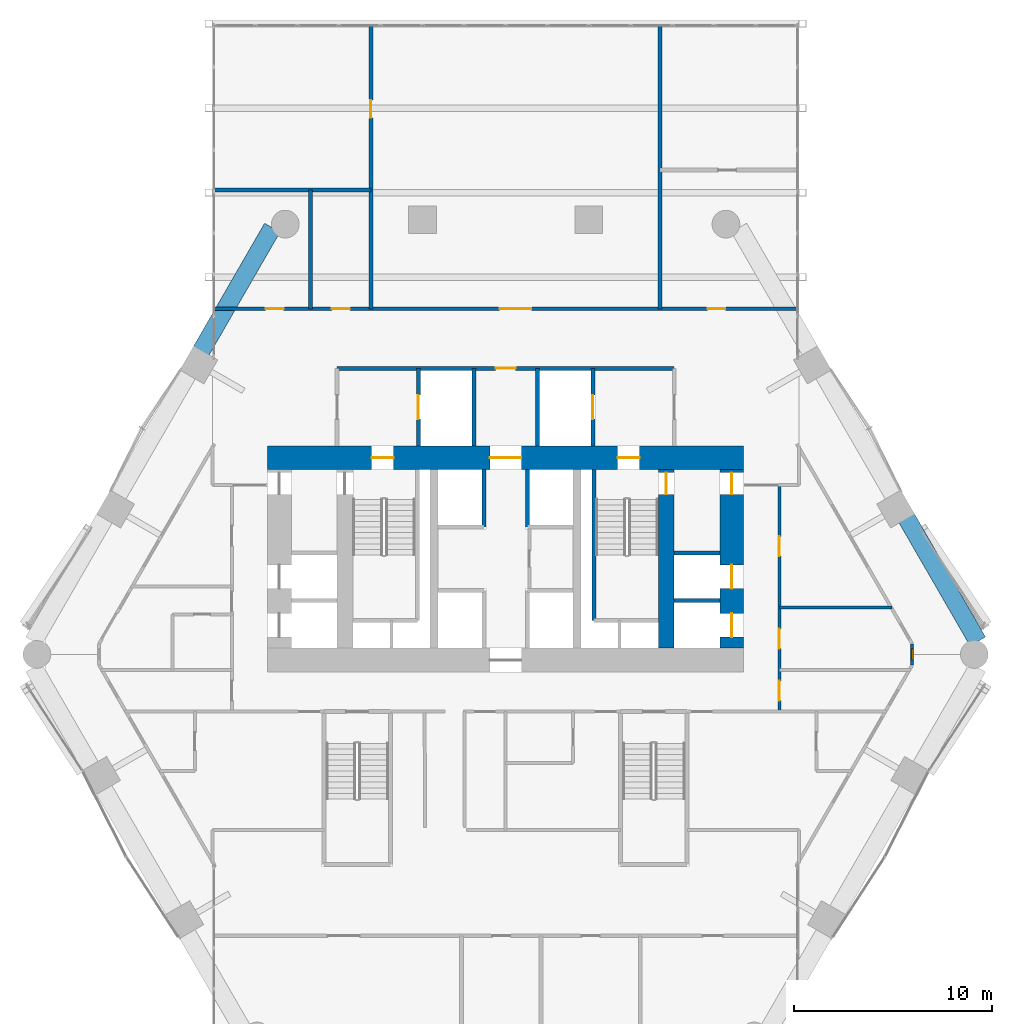
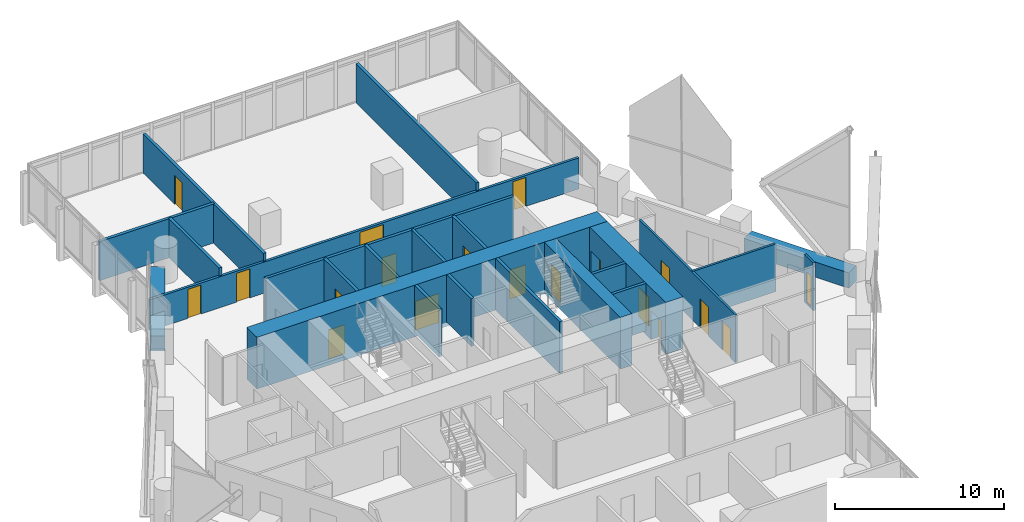
# One storey, part 29 of 35: 23 walls, 18 doors, 1 window, 19 openings.
"""IFC4 building model written with IfcOpenShell, lengths in metres."""

import ifcopenshell
import ifcopenshell.guid

model = None  # the IFC model being written
_history = None  # IfcOwnerHistory: only IFC2X3 demands one
_inside = {}  # id of a spatial element -> (the spatial element, [elements in it])
_under = {}  # id of a project, library or spatial element -> (it, [spatial elements below it])
_declared = {}  # id of a project -> (the project, [libraries it declares])
_typed = {}  # id of a type object -> (the type object, [elements of that type])
_made_of = {}  # id of a material, layer set ... -> (it, [elements and type objects made of it])


def new_model(schema):
    """Start an empty IFC model of exactly this schema.

    Asked for "IFC4X3", IfcOpenShell would pick the latest addendum, in which some entities
    have other attributes; the version numbers below select the first issue.
    IFC2X3 requires an IfcOwnerHistory on every rooted entity: one is made here for all.
    """
    global model, _history
    if schema == "IFC4X3":
        model = ifcopenshell.file(schema_version=(4, 3, 0, 0))
    else:
        model = ifcopenshell.file(schema=schema)
    _inside.clear()
    _under.clear()
    _declared.clear()
    _typed.clear()
    _made_of.clear()
    _history = None
    if model.schema == "IFC2X3":
        org = make("IfcOrganization", Name="unknown")
        user = make(
            "IfcPersonAndOrganization",
            ThePerson=make("IfcPerson", FamilyName="unknown"),
            TheOrganization=org,
        )
        app = make(
            "IfcApplication",
            ApplicationDeveloper=org,
            Version="unknown",
            ApplicationFullName="unknown",
            ApplicationIdentifier="unknown",
        )
        _history = make(
            "IfcOwnerHistory",
            OwningUser=user,
            OwningApplication=app,
            ChangeAction="ADDED",
            CreationDate=0,
        )
    return model


def make(cls, **values):
    """One entity of the class cls with the attributes given. An attribute that is None is left unset."""
    return model.create_entity(
        cls, **{name: value for name, value in values.items() if value is not None}
    )


def rooted(cls, **values):
    """An entity with a GlobalId (a new one), such as an element, a storey or a relation."""
    return make(cls, GlobalId=ifcopenshell.guid.new(), OwnerHistory=_history, **values)


def si_unit(unit_type, name, prefix=None):
    """IfcSIUnit, for example si_unit("LENGTHUNIT", "METRE", prefix="MILLI")."""
    return make("IfcSIUnit", UnitType=unit_type, Prefix=prefix, Name=name)


def assignment(units):
    """IfcUnitAssignment: the units of a project."""
    return None if units is None else make("IfcUnitAssignment", Units=units)


def point(xyz):
    """IfcCartesianPoint."""
    return None if xyz is None else make("IfcCartesianPoint", Coordinates=xyz)


def direction(xyz):
    """IfcDirection."""
    return None if xyz is None else make("IfcDirection", DirectionRatios=xyz)


def frame(location, z_axis=None, x_axis=None):
    """IfcAxis2Placement3D, a coordinate frame: its origin and axes. An axis left out is left unset."""
    return make(
        "IfcAxis2Placement3D",
        Location=point(location),
        Axis=direction(z_axis),
        RefDirection=direction(x_axis),
    )


def frame_2d(location, x_axis=None):
    """IfcAxis2Placement2D, a coordinate frame in the plane: its origin and x axis."""
    return make(
        "IfcAxis2Placement2D", Location=point(location), RefDirection=direction(x_axis)
    )


def origin():
    """The frame at (0, 0, 0) with its axes left unset."""
    return frame((0.0, 0.0, 0.0))


def place(relative_to, where):
    """IfcLocalPlacement: puts the frame where relative to a parent placement (None: the world)."""
    return make(
        "IfcLocalPlacement", PlacementRelTo=relative_to, RelativePlacement=where
    )


def context(
    kind, dimensions, precision=None, world=None, true_north=None, identifier=None
):
    """IfcGeometricRepresentationContext, for example the 3D "Model" context."""
    return make(
        "IfcGeometricRepresentationContext",
        ContextIdentifier=identifier,
        ContextType=kind,
        CoordinateSpaceDimension=dimensions,
        Precision=precision,
        WorldCoordinateSystem=world,
        TrueNorth=true_north,
    )


def subcontext(parent, identifier, kind, view, scale=None):
    """IfcGeometricRepresentationSubContext, for example "Body" below "Model"."""
    return make(
        "IfcGeometricRepresentationSubContext",
        ContextIdentifier=identifier,
        ContextType=kind,
        ParentContext=parent,
        TargetScale=scale,
        TargetView=view,
    )


def project(units=None, contexts=None):
    """IfcProject with its units and contexts."""
    return rooted(
        "IfcProject",
        Name="project",
        RepresentationContexts=contexts,
        UnitsInContext=assignment(units),
    )


def spatial(cls, under=None, at=None, **own):
    """A site, building, storey or space (cls), placed at a placement, below another one or the project."""
    s = rooted(cls, ObjectPlacement=at, **own)
    if under is not None:
        _under.setdefault(under.id(), (under, []))[1].append(s)
    return s


def profile(cls, at=None, kind="AREA", **sizes):
    """A parametric profile (cls). Its sizes go by their IFC names, for example OverallWidth=200.0."""
    return make(cls, ProfileType=kind, Position=at, **sizes)


def rectangle(**sizes):
    """IfcRectangleProfileDef."""
    return profile("IfcRectangleProfileDef", **sizes)


def extrude(swept, where, along, depth):
    """IfcExtrudedAreaSolid: the profile swept, set in the frame where, extruded along a direction by depth."""
    return make(
        "IfcExtrudedAreaSolid",
        SweptArea=swept,
        Position=where,
        ExtrudedDirection=direction(along),
        Depth=depth,
    )


def shape(context_of_items, identifier, shape_type, items):
    """IfcShapeRepresentation: the items that make up one representation, for example the "Body"."""
    return make(
        "IfcShapeRepresentation",
        ContextOfItems=context_of_items,
        RepresentationIdentifier=identifier,
        RepresentationType=shape_type,
        Items=items,
    )


def material(Name=None, Category=None):
    """IfcMaterial."""
    return make("IfcMaterial", Name=Name, Category=Category)


def layer(
    of_material, thickness, ventilated=None, Name=None, Category=None, Priority=None
):
    """IfcMaterialLayer: one layer of a wall or slab, of a material (None: an air gap)."""
    return make(
        "IfcMaterialLayer",
        Material=of_material,
        LayerThickness=thickness,
        IsVentilated=ventilated,
        Name=Name,
        Category=Category,
        Priority=Priority,
    )


def layer_set(layers, Name=None):
    """IfcMaterialLayerSet."""
    return make("IfcMaterialLayerSet", MaterialLayers=layers, LayerSetName=Name)


def made_of(thing, what):
    """Note that an element or type object is made of a material, layer set ...; save() writes the relation."""
    if what is not None:
        _made_of.setdefault(what.id(), (what, []))[1].append(thing)
    return thing


def type_object(cls, material=None, **own):
    """A type object (cls), such as IfcWallType, which elements share."""
    return made_of(rooted(cls, **own), material)


def element(
    cls,
    number,
    at=None,
    inside=None,
    cuts=None,
    type_object=None,
    material=None,
    context=None,
    identifier="Body",
    shape_type=None,
    held_by="IfcProductDefinitionShape",
    body=None,
    shapes=None,
    **own,
):
    """One element of the class cls, such as IfcWall. Its Tag is "e" and its number.

    at: its placement. inside: the storey or other place that contains it. cuts: it is an
    opening in that element (IfcRelVoidsElement). A single representation is given by context,
    identifier, shape_type and body (its items); several are given by shapes. held_by: the class
    of the entity that holds the representations. save() writes the other relations.
    """
    e = rooted(cls, Tag="e%d" % number, ObjectPlacement=at, **own)
    if body is not None:
        shapes = [shape(context, identifier, shape_type, body)]
    if shapes is not None:
        e.Representation = make(held_by, Representations=shapes)
    if inside is not None:
        _inside.setdefault(inside.id(), (inside, []))[1].append(e)
    if cuts is not None:
        rooted(
            "IfcRelVoidsElement", RelatingBuildingElement=cuts, RelatedOpeningElement=e
        )
    if type_object is not None:
        _typed.setdefault(type_object.id(), (type_object, []))[1].append(e)
    return made_of(e, material)


def fill(opening, filler):
    """IfcRelFillsElement: the door or window that sits in an opening."""
    return rooted(
        "IfcRelFillsElement",
        RelatingOpeningElement=opening,
        RelatedBuildingElement=filler,
    )


def aggregate(whole, parts):
    """IfcRelAggregates: a whole, such as a stair, and the parts it consists of."""
    return rooted("IfcRelAggregates", RelatingObject=whole, RelatedObjects=parts)


def save(model, path):
    """Write the relations noted so far, then the file.

    IfcRelAggregates (storeys below a building ...), IfcRelContainedInSpatialStructure (elements
    in a storey), IfcRelDefinesByType, IfcRelAssociatesMaterial and IfcRelDeclares: one each for
    every whole, place, type object, material and project.
    """
    for whole, parts in _under.values():
        aggregate(whole, parts)
    for where, things in _inside.values():
        rooted(
            "IfcRelContainedInSpatialStructure",
            RelatedElements=things,
            RelatingStructure=where,
        )
    for kind, things in _typed.values():
        rooted("IfcRelDefinesByType", RelatedObjects=things, RelatingType=kind)
    for what, things in _made_of.values():
        rooted("IfcRelAssociatesMaterial", RelatedObjects=things, RelatingMaterial=what)
    for by, libraries in _declared.values():
        rooted("IfcRelDeclares", RelatingContext=by, RelatedDefinitions=libraries)
    model.write(path)


model = new_model("IFC4")

# Units and contexts
model_context = context("Model", 3, precision=1e-05, world=origin(), true_north=direction((0.0, 1.0)))
body_context = subcontext(model_context, "Body", "Model", "MODEL_VIEW")
ifc_project = project(units=[si_unit("LENGTHUNIT", "METRE"), si_unit("AREAUNIT", "SQUARE_METRE"), si_unit("VOLUMEUNIT", "CUBIC_METRE"), si_unit("PLANEANGLEUNIT", "RADIAN"), si_unit("MASSUNIT", "GRAM", prefix="KILO")], contexts=[model_context])

# Site, building, storey
site_placement = place(None, origin())
site = spatial("IfcSite", under=ifc_project, at=site_placement, CompositionType="ELEMENT")
building_placement = place(site_placement, origin())
building = spatial("IfcBuilding", under=site, at=building_placement, Name="Ostrander Bayou Hotel Tower", CompositionType="ELEMENT")
storey_placement = place(building_placement, frame((0.0, 0.0, 69.25)))
storey = spatial("IfcBuildingStorey", under=building, at=storey_placement, Name="L17", CompositionType="ELEMENT", Elevation=69.25)

# Wall, openings, doors
ifc_material_1 = material(Name="Concrete f'c 70 MPa", Category="concrete")
ifc_layer_1 = layer(ifc_material_1, 1.199951171875)
ifc_layer_set_1 = layer_set([ifc_layer_1], Name="CW1 core wall 1200 mm f'c 70 MPa")
wall_type_1 = type_object("IfcWallType", Name="CW1 core wall 1200 mm f'c 70 MPa", PredefinedType="SHEAR", material=ifc_layer_set_1)
wall_1_placement = place(storey_placement, frame((-12.0, 9.10009765625, -0.300048828125), z_axis=(0.0, 0.0, 1.0), x_axis=(1.0, 0.0, 0.0)))
wall_1 = element("IfcWall", 1, at=wall_1_placement, inside=storey, type_object=wall_type_1, Name="CW1 L17 N", PredefinedType="SHEAR", context=body_context, shape_type="SweptSolid", body=[
    extrude(rectangle(XDim=24.0, YDim=1.199951171875, at=frame_2d((12.0, 0.0))), origin(), (0.0, 0.0, 1.0), 3.75),
])
opening_1_placement = place(wall_1_placement, frame((11.199951171875, 0.0, 0.0)))
opening_1 = element("IfcOpeningElement", 2, at=opening_1_placement, cuts=wall_1, Name="Opening T16-002", PredefinedType="OPENING", context=body_context, shape_type="SweptSolid", body=[
    extrude(rectangle(XDim=1.60009765625, YDim=2.10009765625, at=frame_2d((0.800048828125, 1.050048828125))), frame((0.0, 0.60009765625, 0.0), z_axis=(0.0, -1.0, 0.0), x_axis=(1.0, 0.0, 0.0)), (0.0, 0.0, 1.0), 1.199951171875),
])
opening_2_placement = place(wall_1_placement, frame((5.25, 0.0, 0.0)))
opening_2 = element("IfcOpeningElement", 3, at=opening_2_placement, cuts=wall_1, Name="Opening T16-003", PredefinedType="OPENING", context=body_context, shape_type="SweptSolid", body=[
    extrude(rectangle(XDim=1.10009765625, YDim=2.10009765625, at=frame_2d((0.550048828125, 1.050048828125))), frame((0.0, 0.60009765625, 0.0), z_axis=(0.0, -1.0, 0.0), x_axis=(1.0, 0.0, 0.0)), (0.0, 0.0, 1.0), 1.199951171875),
])
opening_3_placement = place(wall_1_placement, frame((17.64990234375, 0.0, 0.0)))
opening_3 = element("IfcOpeningElement", 4, at=opening_3_placement, cuts=wall_1, Name="Opening T16-005", PredefinedType="OPENING", context=body_context, shape_type="SweptSolid", body=[
    extrude(rectangle(XDim=1.10009765625, YDim=2.10009765625, at=frame_2d((0.550048828125, 1.050048828125))), frame((0.0, 0.60009765625, 0.0), z_axis=(0.0, -1.0, 0.0), x_axis=(1.0, 0.0, 0.0)), (0.0, 0.0, 1.0), 1.199951171875),
])
ifc_material_2 = material(Name="Timber door leaf", Category="wood")
door_type_1 = type_object("IfcDoorType", Name="D13 double door 1600 x 2100 mm, 1 hour", OperationType="SINGLE_SWING_LEFT", PredefinedType="DOOR", material=ifc_material_2)
door_1_placement = place(opening_1_placement, origin())
door_1 = element("IfcDoor", 5, at=door_1_placement, inside=storey, type_object=door_type_1, Name="dr:L17:002", OperationType="DOUBLE_DOOR_SINGLE_SWING", OverallHeight=2.10009765625, OverallWidth=1.60009765625, PredefinedType="DOOR", context=body_context, shape_type="SweptSolid", body=[
    extrude(rectangle(XDim=1.60009765625, YDim=2.10009765625, at=frame_2d((0.800048828125, 1.050048828125))), frame((0.0, 0.02490234375, 0.0), z_axis=(0.0, -1.0, 0.0), x_axis=(1.0, 0.0, 0.0)), (0.0, 0.0, 1.0), 0.050048828125),
])
fill(opening_1, door_1)
ifc_material_3 = material(Name="Timber door leaf", Category="wood")
door_type_2 = type_object("IfcDoorType", Name="D5 stair door 1100 x 2100 mm, 90 minute", OperationType="SINGLE_SWING_LEFT", PredefinedType="DOOR", material=ifc_material_3)
door_2_placement = place(opening_2_placement, origin())
door_2 = element("IfcDoor", 6, at=door_2_placement, inside=storey, type_object=door_type_2, Name="dr:L17:003", OperationType="SINGLE_SWING_LEFT", OverallHeight=2.10009765625, OverallWidth=1.10009765625, PredefinedType="DOOR", context=body_context, shape_type="SweptSolid", body=[
    extrude(rectangle(XDim=1.10009765625, YDim=2.10009765625, at=frame_2d((0.550048828125, 1.050048828125))), frame((0.0, 0.02490234375, 0.0), z_axis=(0.0, -1.0, 0.0), x_axis=(1.0, 0.0, 0.0)), (0.0, 0.0, 1.0), 0.050048828125),
])
fill(opening_2, door_2)
door_3_placement = place(opening_3_placement, origin())
door_3 = element("IfcDoor", 7, at=door_3_placement, inside=storey, type_object=door_type_2, Name="dr:L17:005", OperationType="SINGLE_SWING_RIGHT", OverallHeight=2.10009765625, OverallWidth=1.10009765625, PredefinedType="DOOR", context=body_context, shape_type="SweptSolid", body=[
    extrude(rectangle(XDim=1.10009765625, YDim=2.10009765625, at=frame_2d((0.550048828125, 1.050048828125))), frame((0.0, 0.02490234375, 0.0), z_axis=(0.0, -1.0, 0.0), x_axis=(1.0, 0.0, 0.0)), (0.0, 0.0, 1.0), 0.050048828125),
])
fill(opening_3, door_3)

wall_2_placement = place(storey_placement, frame((11.39990234375, -0.5, -0.300048828125), z_axis=(0.0, 0.0, 1.0), x_axis=(0.0, 1.0, 0.0)))
wall_2 = element("IfcWall", 8, at=wall_2_placement, inside=storey, type_object=wall_type_1, Name="CW1 L17 RE", PredefinedType="SHEAR", context=body_context, shape_type="SweptSolid", body=[
    extrude(rectangle(XDim=9.0, YDim=1.199951171875, at=frame_2d((4.5, 0.0))), origin(), (0.0, 0.0, 1.0), 3.75),
])
opening_4_placement = place(wall_2_placement, frame((7.75, 0.0, 0.0)))
opening_4 = element("IfcOpeningElement", 9, at=opening_4_placement, cuts=wall_2, Name="Opening T16-018", PredefinedType="OPENING", context=body_context, shape_type="SweptSolid", body=[
    extrude(rectangle(XDim=1.10009765625, YDim=2.10009765625, at=frame_2d((0.550048828125, 1.050048828125))), frame((0.0, 0.60009765625, 0.0), z_axis=(0.0, -1.0, 0.0), x_axis=(1.0, 0.0, 0.0)), (0.0, 0.0, 1.0), 1.199951171875),
])
opening_5_placement = place(wall_2_placement, frame((0.550048828125, 0.0, 0.0)))
opening_5 = element("IfcOpeningElement", 10, at=opening_5_placement, cuts=wall_2, Name="Opening T16-019", PredefinedType="OPENING", context=body_context, shape_type="SweptSolid", body=[
    extrude(rectangle(XDim=1.199951171875, YDim=2.10009765625, at=frame_2d((0.60009765625, 1.050048828125))), frame((0.0, 0.60009765625, 0.0), z_axis=(0.0, -1.0, 0.0), x_axis=(1.0, 0.0, 0.0)), (0.0, 0.0, 1.0), 1.199951171875),
])
opening_6_placement = place(wall_2_placement, frame((3.0, 0.0, 0.0)))
opening_6 = element("IfcOpeningElement", 11, at=opening_6_placement, cuts=wall_2, Name="Opening T16-020", PredefinedType="OPENING", context=body_context, shape_type="SweptSolid", body=[
    extrude(rectangle(XDim=1.199951171875, YDim=2.10009765625, at=frame_2d((0.60009765625, 1.050048828125))), frame((0.0, 0.60009765625, 0.0), z_axis=(0.0, -1.0, 0.0), x_axis=(1.0, 0.0, 0.0)), (0.0, 0.0, 1.0), 1.199951171875),
])
door_4_placement = place(opening_4_placement, origin())
door_4 = element("IfcDoor", 12, at=door_4_placement, inside=storey, type_object=door_type_2, Name="dr:L17:018", OperationType="SINGLE_SWING_RIGHT", OverallHeight=2.10009765625, OverallWidth=1.10009765625, PredefinedType="DOOR", context=body_context, shape_type="SweptSolid", body=[
    extrude(rectangle(XDim=1.10009765625, YDim=2.10009765625, at=frame_2d((0.550048828125, 1.050048828125))), frame((0.0, 0.02490234375, 0.0), z_axis=(0.0, -1.0, 0.0), x_axis=(1.0, 0.0, 0.0)), (0.0, 0.0, 1.0), 0.050048828125),
])
fill(opening_4, door_4)
ifc_material_4 = material(Name="Stainless steel sliding door", Category="steel")
door_type_3 = type_object("IfcDoorType", Name="LD1 lift landing door 1200 x 2100 mm", OperationType="SINGLE_SWING_LEFT", PredefinedType="DOOR", material=ifc_material_4)
door_5_placement = place(opening_5_placement, origin())
door_5 = element("IfcDoor", 13, at=door_5_placement, inside=storey, type_object=door_type_3, Name="dr:L17:019", OperationType="SLIDING_TO_LEFT", OverallHeight=2.10009765625, OverallWidth=1.199951171875, PredefinedType="DOOR", context=body_context, shape_type="SweptSolid", body=[
    extrude(rectangle(XDim=1.199951171875, YDim=2.10009765625, at=frame_2d((0.60009765625, 1.050048828125))), frame((0.0, 0.02490234375, 0.0), z_axis=(0.0, -1.0, 0.0), x_axis=(1.0, 0.0, 0.0)), (0.0, 0.0, 1.0), 0.050048828125),
])
fill(opening_5, door_5)
door_6_placement = place(opening_6_placement, origin())
door_6 = element("IfcDoor", 14, at=door_6_placement, inside=storey, type_object=door_type_3, Name="dr:L17:020", OperationType="SLIDING_TO_LEFT", OverallHeight=2.10009765625, OverallWidth=1.199951171875, PredefinedType="DOOR", context=body_context, shape_type="SweptSolid", body=[
    extrude(rectangle(XDim=1.199951171875, YDim=2.10009765625, at=frame_2d((0.60009765625, 1.050048828125))), frame((0.0, 0.02490234375, 0.0), z_axis=(0.0, -1.0, 0.0), x_axis=(1.0, 0.0, 0.0)), (0.0, 0.0, 1.0), 0.050048828125),
])
fill(opening_6, door_6)

# Wall, opening, door
ifc_material_5 = material(Name="Concrete f'c 70 MPa", Category="concrete")
ifc_layer_2 = layer(ifc_material_5, 0.800048828125)
ifc_layer_set_2 = layer_set([ifc_layer_2], Name="CW2 core spine wall 800 mm f'c 70 MPa")
wall_type_2 = type_object("IfcWallType", Name="CW2 core spine wall 800 mm f'c 70 MPa", PredefinedType="SHEAR", material=ifc_layer_set_2)
wall_3_placement = place(storey_placement, frame((8.10009765625, -0.5, -0.300048828125), z_axis=(0.0, 0.0, 1.0), x_axis=(0.0, 1.0, 0.0)))
wall_3 = element("IfcWall", 15, at=wall_3_placement, inside=storey, type_object=wall_type_2, Name="CW2 L17 E", PredefinedType="SHEAR", context=body_context, shape_type="SweptSolid", body=[
    extrude(rectangle(XDim=9.0, YDim=0.800048828125, at=frame_2d((4.5, 0.0))), origin(), (0.0, 0.0, 1.0), 3.75),
])
opening_7_placement = place(wall_3_placement, frame((7.75, 0.0, 0.0)))
opening_7 = element("IfcOpeningElement", 16, at=opening_7_placement, cuts=wall_3, Name="Opening T16-006", PredefinedType="OPENING", context=body_context, shape_type="SweptSolid", body=[
    extrude(rectangle(XDim=1.10009765625, YDim=2.10009765625, at=frame_2d((0.550048828125, 1.050048828125))), frame((0.0, 0.39990234375, 0.0), z_axis=(0.0, -1.0, 0.0), x_axis=(1.0, 0.0, 0.0)), (0.0, 0.0, 1.0), 0.800048828125),
])
door_7_placement = place(opening_7_placement, origin())
door_7 = element("IfcDoor", 17, at=door_7_placement, inside=storey, type_object=door_type_2, Name="dr:L17:006", OperationType="SINGLE_SWING_LEFT", OverallHeight=2.10009765625, OverallWidth=1.10009765625, PredefinedType="DOOR", context=body_context, shape_type="SweptSolid", body=[
    extrude(rectangle(XDim=1.10009765625, YDim=2.10009765625, at=frame_2d((0.550048828125, 1.050048828125))), frame((0.0, 0.02490234375, 0.0), z_axis=(0.0, -1.0, 0.0), x_axis=(1.0, 0.0, 0.0)), (0.0, 0.0, 1.0), 0.050048828125),
])
fill(opening_7, door_7)

# Wall, opening, window
ifc_material_6 = material(Name="Aluminium framed insulated wall", Category="aluminium")
ifc_layer_3 = layer(ifc_material_6, 0.14990234375)
ifc_layer_set_3 = layer_set([ifc_layer_3], Name="GW1 glass-line wall 150 mm")
wall_type_3 = type_object("IfcWallType", Name="GW1 glass-line wall 150 mm", PredefinedType="SOLIDWALL", material=ifc_layer_set_3)
wall_4_placement = place(storey_placement, frame((20.49560546875, -1.350830078125, 0.0), z_axis=(0.0, 0.0, 1.0), x_axis=(0.0, 1.0, 0.0)))
wall_4 = element("IfcWall", 18, at=wall_4_placement, inside=storey, type_object=wall_type_3, Name="GW1 L17 corner 5", PredefinedType="SOLIDWALL", context=body_context, shape_type="SweptSolid", body=[
    extrude(rectangle(XDim=1.06494140625, YDim=0.14990234375, at=frame_2d((0.532470703125, 0.0))), origin(), (0.0, 0.0, 1.0), 3.449951171875),
])
opening_8_placement = place(wall_4_placement, frame((0.257568359375, 0.0, 0.14990234375)))
opening_8 = element("IfcOpeningElement", 19, at=opening_8_placement, cuts=wall_4, Name="Opening W19", PredefinedType="OPENING", context=body_context, shape_type="SweptSolid", body=[
    extrude(rectangle(XDim=0.550048828125, YDim=2.199951171875, at=frame_2d((0.27490234375, 1.10009765625))), frame((0.0, 0.074951171875, 0.0), z_axis=(0.0, -1.0, 0.0), x_axis=(1.0, 0.0, 0.0)), (0.0, 0.0, 1.0), 0.14990234375),
])
ifc_material_7 = material(Name="Aluminium and clear glass", Category="aluminium")
window_type = type_object("IfcWindowType", Name="W19 corner window 550 mm", PartitioningType="SINGLE_PANEL", PredefinedType="WINDOW", material=ifc_material_7)
window_placement = place(opening_8_placement, origin())
window = element("IfcWindow", 20, at=window_placement, inside=storey, type_object=window_type, Name="W19 L17 corner 5", OverallHeight=2.199951171875, OverallWidth=0.550048828125, PartitioningType="SINGLE_PANEL", PredefinedType="WINDOW", context=body_context, shape_type="SweptSolid", body=[
    extrude(rectangle(XDim=0.550048828125, YDim=2.199951171875, at=frame_2d((0.27490234375, 1.10009765625))), frame((0.0, 0.030029296875, 0.0), z_axis=(0.0, -1.0, 0.0), x_axis=(1.0, 0.0, 0.0)), (0.0, 0.0, 1.0), 0.06005859375),
])
fill(opening_8, window)

# Walls
ifc_material_8 = material(Name="Concrete f'c 40 MPa", Category="concrete")
ifc_layer_4 = layer(ifc_material_8, 0.89990234375)
ifc_layer_set_4 = layer_set([ifc_layer_4], Name="PA1 stone-faced parapet 900 mm")
wall_type_4 = type_object("IfcWallType", Name="PA1 stone-faced parapet 900 mm", PredefinedType="PARAPET", material=ifc_layer_set_4)
for number, where, z_axis, x_axis, name in (
    (21, (-11.76025390625, 20.694091796875, 0.0), (0.0, 0.0, 1.0), (-0.500014005679, -0.866017317451, 0.0), "PA1 L17 NW-1"),
    (22, (23.8017578125, -0.162353515625, 0.0), (0.0, 0.0, 1.0), (-0.500014005679, 0.866017317451, 0.0), "PA1 L17 NE-1"),
):
    element("IfcWall", number, at=place(storey_placement, frame(where, z_axis=z_axis, x_axis=x_axis)), inside=storey, type_object=wall_type_4, Name=name, PredefinedType="PARAPET", context=body_context, shape_type="SweptSolid", body=[
        extrude(rectangle(XDim=7.176025390625, YDim=0.89990234375, at=frame_2d((3.587890625, 0.0))), origin(), (0.0, 0.0, 1.0), 1.10009765625),
    ])
ifc_material_9 = material(Name="Gypsum board partition", Category="finish")
ifc_layer_5 = layer(ifc_material_9, 0.199951171875)
ifc_layer_set_5 = layer_set([ifc_layer_5], Name="PT3 demising wall 200 mm acoustic double stud, 1 hour")
wall_type_5 = type_object("IfcWallType", Name="PT3 demising wall 200 mm acoustic double stud, 1 hour", PredefinedType="PARTITIONING", material=ifc_layer_set_5)
wall_5_placement = place(storey_placement, frame((-14.693115234375, 22.60009765625, 0.0), z_axis=(0.0, 0.0, 1.0), x_axis=(1.0, 0.0, 0.0)))
element("IfcWall", 23, at=wall_5_placement, inside=storey, type_object=wall_type_5, Name="sw:L17:503", PredefinedType="PARTITIONING", context=body_context, shape_type="SweptSolid", body=[
    extrude(rectangle(XDim=7.906005859375, YDim=0.199951171875, at=frame_2d((3.953125, 0.0))), origin(), (0.0, 0.0, 1.0), 2.828125),
])
wall_6_placement = place(storey_placement, frame((-9.826904296875, 16.60009765625, 0.0), z_axis=(0.0, 0.0, 1.0), x_axis=(0.0, 1.0, 0.0)))
element("IfcWall", 24, at=wall_6_placement, inside=storey, type_object=wall_type_5, Name="sw:L17:505", PredefinedType="PARTITIONING", context=body_context, shape_type="SweptSolid", body=[
    extrude(rectangle(XDim=6.0, YDim=0.199951171875, at=frame_2d((3.0, 0.0))), origin(), (0.0, 0.0, 1.0), 2.828125),
])

# Wall, opening, door
wall_7_placement = place(storey_placement, frame((-6.787109375, 16.60009765625, 0.0), z_axis=(0.0, 0.0, 1.0), x_axis=(0.0, 1.0, 0.0)))
wall_7 = element("IfcWall", 25, at=wall_7_placement, inside=storey, type_object=wall_type_5, Name="sw:L17:506", PredefinedType="PARTITIONING", context=body_context, shape_type="SweptSolid", body=[
    extrude(rectangle(XDim=14.26708984375, YDim=0.199951171875, at=frame_2d((7.133544921875, 0.0))), origin(), (0.0, 0.0, 1.0), 2.828125),
])
opening_9_placement = place(wall_7_placement, frame((9.628173828125, 0.0, 0.0)))
opening_9 = element("IfcOpeningElement", 26, at=opening_9_placement, cuts=wall_7, Name="Opening T16-1207", PredefinedType="OPENING", context=body_context, shape_type="SweptSolid", body=[
    extrude(rectangle(XDim=0.89990234375, YDim=2.10009765625, at=frame_2d((0.449951171875, 1.050048828125))), frame((0.0, 0.10009765625, 0.0), z_axis=(0.0, -1.0, 0.0), x_axis=(1.0, 0.0, 0.0)), (0.0, 0.0, 1.0), 0.199951171875),
])
ifc_material_10 = material(Name="Timber door leaf", Category="wood")
door_type_4 = type_object("IfcDoorType", Name="D8 room door 900 x 2100 mm", OperationType="SINGLE_SWING_LEFT", PredefinedType="DOOR", material=ifc_material_10)
door_8_placement = place(opening_9_placement, origin())
door_8 = element("IfcDoor", 27, at=door_8_placement, inside=storey, type_object=door_type_4, Name="dr:L17:1207", OperationType="SINGLE_SWING_LEFT", OverallHeight=2.10009765625, OverallWidth=0.89990234375, PredefinedType="DOOR", context=body_context, shape_type="SweptSolid", body=[
    extrude(rectangle(XDim=0.89990234375, YDim=2.10009765625, at=frame_2d((0.449951171875, 1.050048828125))), frame((0.0, 0.02490234375, 0.0), z_axis=(0.0, -1.0, 0.0), x_axis=(1.0, 0.0, 0.0)), (0.0, 0.0, 1.0), 0.050048828125),
])
fill(opening_9, door_8)

# Wall
wall_8_placement = place(storey_placement, frame((7.787109375, 16.60009765625, 0.0), z_axis=(0.0, 0.0, 1.0), x_axis=(0.0, 1.0, 0.0)))
element("IfcWall", 28, at=wall_8_placement, inside=storey, type_object=wall_type_5, Name="sw:L17:510", PredefinedType="PARTITIONING", context=body_context, shape_type="SweptSolid", body=[
    extrude(rectangle(XDim=14.26708984375, YDim=0.199951171875, at=frame_2d((7.133544921875, 0.0))), origin(), (0.0, 0.0, 1.0), 2.828125),
])

# Wall, openings, doors
ifc_material_11 = material(Name="Gypsum board partition", Category="finish")
ifc_layer_6 = layer(ifc_material_11, 0.175048828125)
ifc_layer_set_6 = layer_set([ifc_layer_6], Name="PT4 corridor wall 175 mm, 1 hour")
wall_type_6 = type_object("IfcWallType", Name="PT4 corridor wall 175 mm, 1 hour", PredefinedType="PARTITIONING", material=ifc_layer_set_6)
wall_9_placement = place(storey_placement, frame((-14.693115234375, 16.60009765625, 0.0), z_axis=(0.0, 0.0, 1.0), x_axis=(1.0, 0.0, 0.0)))
wall_9 = element("IfcWall", 29, at=wall_9_placement, inside=storey, type_object=wall_type_6, Name="sw:L17:501", PredefinedType="PARTITIONING", context=body_context, shape_type="SweptSolid", body=[
    extrude(rectangle(XDim=29.38623046875, YDim=0.175048828125, at=frame_2d((14.693115234375, 0.0))), origin(), (0.0, 0.0, 1.0), 2.25),
])
opening_10_placement = place(wall_9_placement, frame((24.86962890625, 0.0, 0.0)))
opening_10 = element("IfcOpeningElement", 30, at=opening_10_placement, cuts=wall_9, Name="Opening T16-1205", PredefinedType="OPENING", context=body_context, shape_type="SweptSolid", body=[
    extrude(rectangle(XDim=0.89990234375, YDim=2.10009765625, at=frame_2d((0.449951171875, 1.050048828125))), frame((0.0, 0.08740234375, 0.0), z_axis=(0.0, -1.0, 0.0), x_axis=(1.0, 0.0, 0.0)), (0.0, 0.0, 1.0), 0.175048828125),
])
opening_11_placement = place(wall_9_placement, frame((2.5966796875, 0.0, 0.0)))
opening_11 = element("IfcOpeningElement", 31, at=opening_11_placement, cuts=wall_9, Name="Opening T16-1208", PredefinedType="OPENING", context=body_context, shape_type="SweptSolid", body=[
    extrude(rectangle(XDim=0.89990234375, YDim=2.10009765625, at=frame_2d((0.449951171875, 1.050048828125))), frame((0.0, 0.08740234375, 0.0), z_axis=(0.0, -1.0, 0.0), x_axis=(1.0, 0.0, 0.0)), (0.0, 0.0, 1.0), 0.175048828125),
])
opening_12_placement = place(wall_9_placement, frame((5.93603515625, 0.0, 0.0)))
opening_12 = element("IfcOpeningElement", 32, at=opening_12_placement, cuts=wall_9, Name="Opening T16-1209", PredefinedType="OPENING", context=body_context, shape_type="SweptSolid", body=[
    extrude(rectangle(XDim=0.89990234375, YDim=2.10009765625, at=frame_2d((0.449951171875, 1.050048828125))), frame((0.0, 0.08740234375, 0.0), z_axis=(0.0, -1.0, 0.0), x_axis=(1.0, 0.0, 0.0)), (0.0, 0.0, 1.0), 0.175048828125),
])
opening_13_placement = place(wall_9_placement, frame((14.393310546875, 0.0, 0.0)))
opening_13 = element("IfcOpeningElement", 33, at=opening_13_placement, cuts=wall_9, Name="Opening T16-1210", PredefinedType="OPENING", context=body_context, shape_type="SweptSolid", body=[
    extrude(rectangle(XDim=1.60009765625, YDim=2.10009765625, at=frame_2d((0.800048828125, 1.050048828125))), frame((0.0, 0.08740234375, 0.0), z_axis=(0.0, -1.0, 0.0), x_axis=(1.0, 0.0, 0.0)), (0.0, 0.0, 1.0), 0.175048828125),
])
door_9_placement = place(opening_13_placement, origin())
door_9 = element("IfcDoor", 34, at=door_9_placement, inside=storey, type_object=door_type_1, Name="dr:L17:1210", OperationType="DOUBLE_DOOR_SINGLE_SWING", OverallHeight=2.10009765625, OverallWidth=1.60009765625, PredefinedType="DOOR", context=body_context, shape_type="SweptSolid", body=[
    extrude(rectangle(XDim=1.60009765625, YDim=2.10009765625, at=frame_2d((0.800048828125, 1.050048828125))), frame((0.0, 0.02490234375, 0.0), z_axis=(0.0, -1.0, 0.0), x_axis=(1.0, 0.0, 0.0)), (0.0, 0.0, 1.0), 0.050048828125),
])
fill(opening_13, door_9)
door_10_placement = place(opening_10_placement, origin())
door_10 = element("IfcDoor", 35, at=door_10_placement, inside=storey, type_object=door_type_4, Name="dr:L17:1205", OperationType="SINGLE_SWING_LEFT", OverallHeight=2.10009765625, OverallWidth=0.89990234375, PredefinedType="DOOR", context=body_context, shape_type="SweptSolid", body=[
    extrude(rectangle(XDim=0.89990234375, YDim=2.10009765625, at=frame_2d((0.449951171875, 1.050048828125))), frame((0.0, 0.02490234375, 0.0), z_axis=(0.0, -1.0, 0.0), x_axis=(1.0, 0.0, 0.0)), (0.0, 0.0, 1.0), 0.050048828125),
])
fill(opening_10, door_10)
door_11_placement = place(opening_11_placement, origin())
door_11 = element("IfcDoor", 36, at=door_11_placement, inside=storey, type_object=door_type_4, Name="dr:L17:1208", OperationType="SINGLE_SWING_RIGHT", OverallHeight=2.10009765625, OverallWidth=0.89990234375, PredefinedType="DOOR", context=body_context, shape_type="SweptSolid", body=[
    extrude(rectangle(XDim=0.89990234375, YDim=2.10009765625, at=frame_2d((0.449951171875, 1.050048828125))), frame((0.0, 0.02490234375, 0.0), z_axis=(0.0, -1.0, 0.0), x_axis=(1.0, 0.0, 0.0)), (0.0, 0.0, 1.0), 0.050048828125),
])
fill(opening_11, door_11)
door_12_placement = place(opening_12_placement, origin())
door_12 = element("IfcDoor", 37, at=door_12_placement, inside=storey, type_object=door_type_4, Name="dr:L17:1209", OperationType="SINGLE_SWING_LEFT", OverallHeight=2.10009765625, OverallWidth=0.89990234375, PredefinedType="DOOR", context=body_context, shape_type="SweptSolid", body=[
    extrude(rectangle(XDim=0.89990234375, YDim=2.10009765625, at=frame_2d((0.449951171875, 1.050048828125))), frame((0.0, 0.02490234375, 0.0), z_axis=(0.0, -1.0, 0.0), x_axis=(1.0, 0.0, 0.0)), (0.0, 0.0, 1.0), 0.050048828125),
])
fill(opening_12, door_12)

# Wall, opening, door
ifc_material_12 = material(Name="Masonry block", Category="masonry")
ifc_layer_7 = layer(ifc_material_12, 0.199951171875)
ifc_layer_set_7 = layer_set([ifc_layer_7], Name="PT5 stair enclosure wall 200 mm masonry, 2 hour")
wall_type_7 = type_object("IfcWallType", Name="PT5 stair enclosure wall 200 mm masonry, 2 hour", PredefinedType="PARTITIONING", material=ifc_layer_set_7)
wall_10_placement = place(storey_placement, frame((-8.5, 13.60009765625, 0.0), z_axis=(0.0, 0.0, 1.0), x_axis=(1.0, 0.0, 0.0)))
wall_10 = element("IfcWall", 38, at=wall_10_placement, inside=storey, type_object=wall_type_7, Name="cs:L17:023", PredefinedType="PARTITIONING", context=body_context, shape_type="SweptSolid", body=[
    extrude(rectangle(XDim=17.0, YDim=0.199951171875, at=frame_2d((8.5, 0.0))), origin(), (0.0, 0.0, 1.0), 3.449951171875),
])
opening_14_placement = place(wall_10_placement, frame((8.0, 0.0, 0.0)))
opening_14 = element("IfcOpeningElement", 39, at=opening_14_placement, cuts=wall_10, Name="Opening T16-013", PredefinedType="OPENING", context=body_context, shape_type="SweptSolid", body=[
    extrude(rectangle(XDim=1.0, YDim=2.10009765625, at=frame_2d((0.5, 1.050048828125))), frame((0.0, 0.10009765625, 0.0), z_axis=(0.0, -1.0, 0.0), x_axis=(1.0, 0.0, 0.0)), (0.0, 0.0, 1.0), 0.199951171875),
])
ifc_material_13 = material(Name="Timber door leaf", Category="wood")
door_type_5 = type_object("IfcDoorType", Name="D9 service door 1000 x 2100 mm, 30 minute", OperationType="SINGLE_SWING_LEFT", PredefinedType="DOOR", material=ifc_material_13)
door_13_placement = place(opening_14_placement, origin())
door_13 = element("IfcDoor", 40, at=door_13_placement, inside=storey, type_object=door_type_5, Name="dr:L17:013", OperationType="SINGLE_SWING_LEFT", OverallHeight=2.10009765625, OverallWidth=1.0, PredefinedType="DOOR", context=body_context, shape_type="SweptSolid", body=[
    extrude(rectangle(XDim=1.0, YDim=2.10009765625, at=frame_2d((0.5, 1.050048828125))), frame((0.0, 0.02490234375, 0.0), z_axis=(0.0, -1.0, 0.0), x_axis=(1.0, 0.0, 0.0)), (0.0, 0.0, 1.0), 0.050048828125),
])
fill(opening_14, door_13)

wall_11_placement = place(storey_placement, frame((-4.39990234375, 9.699951171875, 0.0), z_axis=(0.0, 0.0, 1.0), x_axis=(0.0, 1.0, 0.0)))
wall_11 = element("IfcWall", 41, at=wall_11_placement, inside=storey, type_object=wall_type_7, Name="cs:L17:026", PredefinedType="PARTITIONING", context=body_context, shape_type="SweptSolid", body=[
    extrude(rectangle(XDim=3.900146484375, YDim=0.199951171875, at=frame_2d((1.9501953125, 0.0))), origin(), (0.0, 0.0, 1.0), 3.449951171875),
])
opening_15_placement = place(wall_11_placement, frame((1.35009765625, 0.0, 0.0)))
opening_15 = element("IfcOpeningElement", 42, at=opening_15_placement, cuts=wall_11, Name="Opening T16-009", PredefinedType="OPENING", context=body_context, shape_type="SweptSolid", body=[
    extrude(rectangle(XDim=1.199951171875, YDim=2.10009765625, at=frame_2d((0.60009765625, 1.050048828125))), frame((0.0, 0.10009765625, 0.0), z_axis=(0.0, -1.0, 0.0), x_axis=(1.0, 0.0, 0.0)), (0.0, 0.0, 1.0), 0.199951171875),
])
door_14_placement = place(opening_15_placement, origin())
door_14 = element("IfcDoor", 43, at=door_14_placement, inside=storey, type_object=door_type_3, Name="dr:L17:009", OperationType="SLIDING_TO_LEFT", OverallHeight=2.10009765625, OverallWidth=1.199951171875, PredefinedType="DOOR", context=body_context, shape_type="SweptSolid", body=[
    extrude(rectangle(XDim=1.199951171875, YDim=2.10009765625, at=frame_2d((0.60009765625, 1.050048828125))), frame((0.0, 0.02490234375, 0.0), z_axis=(0.0, -1.0, 0.0), x_axis=(1.0, 0.0, 0.0)), (0.0, 0.0, 1.0), 0.050048828125),
])
fill(opening_15, door_14)

wall_12_placement = place(storey_placement, frame((4.39990234375, 9.699951171875, 0.0), z_axis=(0.0, 0.0, 1.0), x_axis=(0.0, 1.0, 0.0)))
wall_12 = element("IfcWall", 44, at=wall_12_placement, inside=storey, type_object=wall_type_7, Name="cs:L17:027", PredefinedType="PARTITIONING", context=body_context, shape_type="SweptSolid", body=[
    extrude(rectangle(XDim=3.900146484375, YDim=0.199951171875, at=frame_2d((1.9501953125, 0.0))), origin(), (0.0, 0.0, 1.0), 3.449951171875),
])
opening_16_placement = place(wall_12_placement, frame((1.35009765625, 0.0, 0.0)))
opening_16 = element("IfcOpeningElement", 45, at=opening_16_placement, cuts=wall_12, Name="Opening T16-011", PredefinedType="OPENING", context=body_context, shape_type="SweptSolid", body=[
    extrude(rectangle(XDim=1.199951171875, YDim=2.10009765625, at=frame_2d((0.60009765625, 1.050048828125))), frame((0.0, 0.10009765625, 0.0), z_axis=(0.0, -1.0, 0.0), x_axis=(1.0, 0.0, 0.0)), (0.0, 0.0, 1.0), 0.199951171875),
])
door_15_placement = place(opening_16_placement, origin())
door_15 = element("IfcDoor", 46, at=door_15_placement, inside=storey, type_object=door_type_3, Name="dr:L17:011", OperationType="SLIDING_TO_LEFT", OverallHeight=2.10009765625, OverallWidth=1.199951171875, PredefinedType="DOOR", context=body_context, shape_type="SweptSolid", body=[
    extrude(rectangle(XDim=1.199951171875, YDim=2.10009765625, at=frame_2d((0.60009765625, 1.050048828125))), frame((0.0, 0.02490234375, 0.0), z_axis=(0.0, -1.0, 0.0), x_axis=(1.0, 0.0, 0.0)), (0.0, 0.0, 1.0), 0.050048828125),
])
fill(opening_16, door_15)

# Walls
ifc_material_14 = material(Name="Masonry block", Category="masonry")
ifc_layer_8 = layer(ifc_material_14, 0.199951171875)
ifc_layer_set_8 = layer_set([ifc_layer_8], Name="PT6 lift shaft wall 200 mm masonry, 2 hour")
wall_type_8 = type_object("IfcWallType", Name="PT6 lift shaft wall 200 mm masonry, 2 hour", PredefinedType="PARTITIONING", material=ifc_layer_set_8)
for number, where, z_axis, x_axis, name in (
    (47, (-1.10009765625, 5.60009765625, 0.0), (0.0, 0.0, 1.0), (0.0, 1.0, 0.0), "cs:L17:007"),
    (48, (1.10009765625, 5.60009765625, 0.0), (0.0, 0.0, 1.0), (0.0, 1.0, 0.0), "cs:L17:008"),
):
    element("IfcWall", number, at=place(storey_placement, frame(where, z_axis=z_axis, x_axis=x_axis)), inside=storey, type_object=wall_type_8, Name=name, PredefinedType="PARTITIONING", context=body_context, shape_type="SweptSolid", body=[
        extrude(rectangle(XDim=2.89990234375, YDim=0.199951171875, at=frame_2d((1.449951171875, 0.0))), origin(), (0.0, 0.0, 1.0), 3.449951171875),
    ])
for number, where, z_axis, x_axis, name in (
    (49, (-1.60009765625, 9.699951171875, 0.0), (0.0, 0.0, 1.0), (0.0, 1.0, 0.0), "cs:L17:028"),
    (50, (1.60009765625, 9.699951171875, 0.0), (0.0, 0.0, 1.0), (0.0, 1.0, 0.0), "cs:L17:029"),
):
    element("IfcWall", number, at=place(storey_placement, frame(where, z_axis=z_axis, x_axis=x_axis)), inside=storey, type_object=wall_type_8, Name=name, PredefinedType="PARTITIONING", context=body_context, shape_type="SweptSolid", body=[
        extrude(rectangle(XDim=3.900146484375, YDim=0.199951171875, at=frame_2d((1.9501953125, 0.0))), origin(), (0.0, 0.0, 1.0), 3.449951171875),
    ])
for number, where, z_axis, x_axis, name in (
    (51, (8.5, 1.89990234375, 0.0), (0.0, 0.0, 1.0), (1.0, 0.0, 0.0), "cs:L17:033"),
    (52, (8.5, 4.300048828125, 0.0), (0.0, 0.0, 1.0), (1.0, 0.0, 0.0), "cs:L17:034"),
):
    element("IfcWall", number, at=place(storey_placement, frame(where, z_axis=z_axis, x_axis=x_axis)), inside=storey, type_object=wall_type_8, Name=name, PredefinedType="PARTITIONING", context=body_context, shape_type="SweptSolid", body=[
        extrude(rectangle(XDim=2.300048828125, YDim=0.199951171875, at=frame_2d((1.14990234375, 0.0))), origin(), (0.0, 0.0, 1.0), 3.449951171875),
    ])
ifc_material_15 = material(Name="Gypsum board partition", Category="finish")
ifc_layer_9 = layer(ifc_material_15, 0.14990234375)
ifc_layer_set_9 = layer_set([ifc_layer_9], Name="PT8 service band wall 150 mm, 1 hour")
wall_type_9 = type_object("IfcWallType", Name="PT8 service band wall 150 mm, 1 hour", PredefinedType="PARTITIONING", material=ifc_layer_set_9)
wall_13_placement = place(storey_placement, frame((13.800048828125, 1.550048828125, 0.0), z_axis=(0.0, 0.0, 1.0), x_axis=(1.0, 0.0, 0.0)))
element("IfcWall", 53, at=wall_13_placement, inside=storey, type_object=wall_type_9, Name="gw:L17:014", PredefinedType="PARTITIONING", context=body_context, shape_type="SweptSolid", body=[
    extrude(rectangle(XDim=5.68798828125, YDim=0.14990234375, at=frame_2d((2.843994140625, 0.0))), origin(), (0.0, 0.0, 1.0), 3.449951171875),
])

# Wall, openings, doors
wall_14_placement = place(storey_placement, frame((13.800048828125, -3.699951171875, 0.0), z_axis=(0.0, 0.0, 1.0), x_axis=(0.0, 1.0, 0.0)))
wall_14 = element("IfcWall", 54, at=wall_14_placement, inside=storey, type_object=wall_type_9, Name="gw:L17:021", PredefinedType="PARTITIONING", context=body_context, shape_type="SweptSolid", body=[
    extrude(rectangle(XDim=11.4150390625, YDim=0.14990234375, at=frame_2d((5.70751953125, 0.0))), origin(), (0.0, 0.0, 1.0), 3.449951171875),
])
opening_17_placement = place(wall_14_placement, frame((0.550048828125, 0.0, 0.0)))
opening_17 = element("IfcOpeningElement", 55, at=opening_17_placement, cuts=wall_14, Name="Opening T16-411", PredefinedType="OPENING", context=body_context, shape_type="SweptSolid", body=[
    extrude(rectangle(XDim=1.0, YDim=2.10009765625, at=frame_2d((0.5, 1.050048828125))), frame((0.0, 0.074951171875, 0.0), z_axis=(0.0, -1.0, 0.0), x_axis=(1.0, 0.0, 0.0)), (0.0, 0.0, 1.0), 0.14990234375),
])
opening_18_placement = place(wall_14_placement, frame((3.175048828125, 0.0, 0.0)))
opening_18 = element("IfcOpeningElement", 56, at=opening_18_placement, cuts=wall_14, Name="Opening T16-412", PredefinedType="OPENING", context=body_context, shape_type="SweptSolid", body=[
    extrude(rectangle(XDim=1.0, YDim=2.10009765625, at=frame_2d((0.5, 1.050048828125))), frame((0.0, 0.074951171875, 0.0), z_axis=(0.0, -1.0, 0.0), x_axis=(1.0, 0.0, 0.0)), (0.0, 0.0, 1.0), 0.14990234375),
])
opening_19_placement = place(wall_14_placement, frame((7.83203125, 0.0, 0.0)))
opening_19 = element("IfcOpeningElement", 57, at=opening_19_placement, cuts=wall_14, Name="Opening T16-413", PredefinedType="OPENING", context=body_context, shape_type="SweptSolid", body=[
    extrude(rectangle(XDim=1.0, YDim=2.10009765625, at=frame_2d((0.5, 1.050048828125))), frame((0.0, 0.074951171875, 0.0), z_axis=(0.0, -1.0, 0.0), x_axis=(1.0, 0.0, 0.0)), (0.0, 0.0, 1.0), 0.14990234375),
])
door_16_placement = place(opening_17_placement, origin())
door_16 = element("IfcDoor", 58, at=door_16_placement, inside=storey, type_object=door_type_5, Name="dr:L17:411", OperationType="SINGLE_SWING_LEFT", OverallHeight=2.10009765625, OverallWidth=1.0, PredefinedType="DOOR", context=body_context, shape_type="SweptSolid", body=[
    extrude(rectangle(XDim=1.0, YDim=2.10009765625, at=frame_2d((0.5, 1.050048828125))), frame((0.0, 0.02490234375, 0.0), z_axis=(0.0, -1.0, 0.0), x_axis=(1.0, 0.0, 0.0)), (0.0, 0.0, 1.0), 0.050048828125),
])
fill(opening_17, door_16)
door_17_placement = place(opening_18_placement, origin())
door_17 = element("IfcDoor", 59, at=door_17_placement, inside=storey, type_object=door_type_5, Name="dr:L17:412", OperationType="SINGLE_SWING_LEFT", OverallHeight=2.10009765625, OverallWidth=1.0, PredefinedType="DOOR", context=body_context, shape_type="SweptSolid", body=[
    extrude(rectangle(XDim=1.0, YDim=2.10009765625, at=frame_2d((0.5, 1.050048828125))), frame((0.0, 0.02490234375, 0.0), z_axis=(0.0, -1.0, 0.0), x_axis=(1.0, 0.0, 0.0)), (0.0, 0.0, 1.0), 0.050048828125),
])
fill(opening_18, door_17)
door_18_placement = place(opening_19_placement, origin())
door_18 = element("IfcDoor", 60, at=door_18_placement, inside=storey, type_object=door_type_5, Name="dr:L17:413", OperationType="SINGLE_SWING_LEFT", OverallHeight=2.10009765625, OverallWidth=1.0, PredefinedType="DOOR", context=body_context, shape_type="SweptSolid", body=[
    extrude(rectangle(XDim=1.0, YDim=2.10009765625, at=frame_2d((0.5, 1.050048828125))), frame((0.0, 0.02490234375, 0.0), z_axis=(0.0, -1.0, 0.0), x_axis=(1.0, 0.0, 0.0)), (0.0, 0.0, 1.0), 0.050048828125),
])
fill(opening_19, door_18)

# Wall
ifc_material_16 = material(Name="Concrete f'c 45 MPa", Category="concrete")
ifc_layer_10 = layer(ifc_material_16, 0.199951171875)
ifc_layer_set_10 = layer_set([ifc_layer_10], Name="SW5 stair enclosure wall 200 mm f'c 45 MPa")
wall_type_10 = type_object("IfcWallType", Name="SW5 stair enclosure wall 200 mm f'c 45 MPa", PredefinedType="SOLIDWALL", material=ifc_layer_set_10)
wall_15_placement = place(storey_placement, frame((4.449951171875, 0.89990234375, -0.300048828125), z_axis=(0.0, 0.0, 1.0), x_axis=(0.0, 1.0, 0.0)))
element("IfcWall", 61, at=wall_15_placement, inside=storey, type_object=wall_type_10, Name="cs:L17:012", PredefinedType="SOLIDWALL", context=body_context, shape_type="SweptSolid", body=[
    extrude(rectangle(XDim=7.60009765625, YDim=0.199951171875, at=frame_2d((3.800048828125, 0.0))), origin(), (0.0, 0.0, 1.0), 3.75),
])

save(model, "model.ifc")
